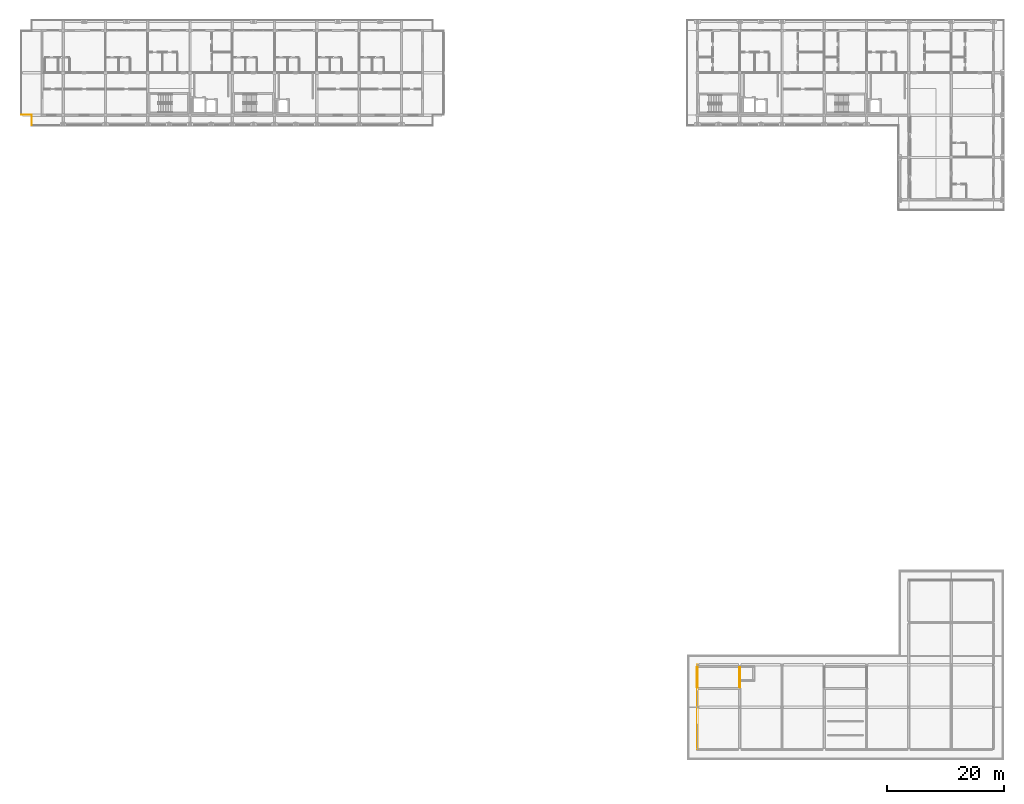
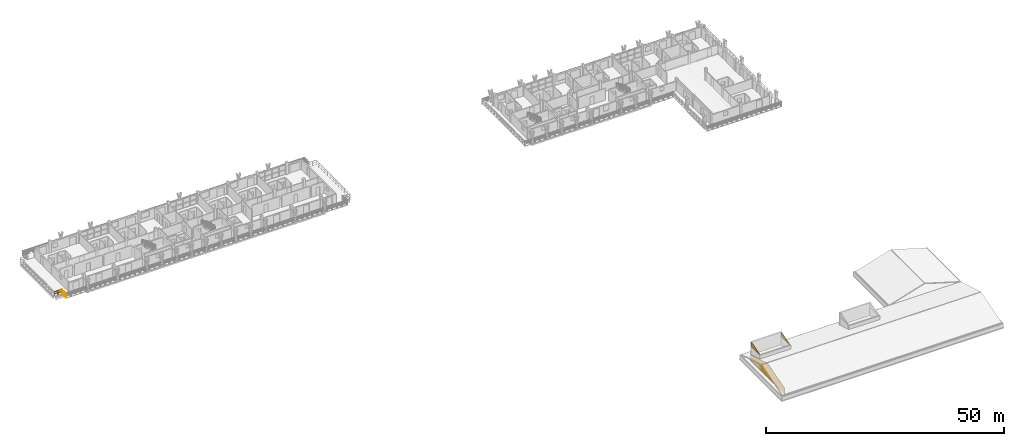
# One storey, part 37 of 45: 3 coverings, 2 railings.
"""IFC4 building model written with IfcOpenShell, lengths in metres."""

from ifc_helpers import new_model, si_unit, direction, frame, origin, origin_2d, place, context, subcontext, project, spatial, polyline, rectangle, outline, extrude, material, layer, layer_set, type_object, element, save


model = new_model("IFC4")

# Units and contexts
model_context = context("Model", 3, precision=1e-05, world=origin(), true_north=direction((0.0, 1.0)))
body_context = subcontext(model_context, "Body", "Model", "MODEL_VIEW")
ifc_project = project(units=[si_unit("LENGTHUNIT", "METRE"), si_unit("AREAUNIT", "SQUARE_METRE"), si_unit("VOLUMEUNIT", "CUBIC_METRE"), si_unit("PLANEANGLEUNIT", "RADIAN"), si_unit("MASSUNIT", "GRAM", prefix="KILO")], contexts=[model_context])

# Site, building, storey
site_placement = place(None, origin())
site = spatial("IfcSite", under=ifc_project, at=site_placement, CompositionType="ELEMENT")
building_placement = place(site_placement, origin())
building = spatial("IfcBuilding", under=site, at=building_placement, Name="Suanplinth Sawtooth Commons", CompositionType="ELEMENT")
storey_placement = place(building_placement, frame((0.0, 0.0, 38.0)))
storey = spatial("IfcBuildingStorey", under=building, at=storey_placement, Name="L11", CompositionType="ELEMENT", Elevation=38.0)

# Coverings
ifc_material_1 = material(Name="Insulated zinc-aluminium architectural wall panel", Category="aluminium")
ifc_layer = layer(ifc_material_1, 0.139892578125, Name="Insulated architectural gable tympanum cladding 140mm")
ifc_layer_set = layer_set([ifc_layer], Name="Insulated zinc-aluminium architectural wall panel")
covering_type = type_object("IfcCoveringType", Name="CV-CL02", PredefinedType="CLADDING", material=ifc_layer_set)
covering_placement = place(storey_placement, frame((136.800048828125, 0.0, 0.0), z_axis=(0.0, 0.0, 1.0), x_axis=(0.0, 1.0, 0.0)))
element("IfcCovering", 1, at=covering_placement, inside=storey, type_object=covering_type, Name="L11 Block C Crown W Gable Tympanum", PredefinedType="CLADDING", context=body_context, shape_type="SweptSolid", body=[
    extrude(outline(polyline([(0.0, 0.0), (14.39990234375, 0.0), (14.39990234375, 1.449951171875), (7.199951171875, 3.5400390625), (0.0, 1.449951171875), (0.0, 0.0)])), frame((0.0, 0.06982421875, 0.0), z_axis=(0.0, -1.0, 0.0), x_axis=(1.0, 0.0, 0.0)), (0.0, 0.0, 1.0), 0.139892578125),
])
for number, where, z_axis, x_axis, name in (
    (2, (136.77001953125, 10.5048828125, 3.820068359375), (0.0, 0.0, 1.0), (0.0, 1.0, 0.0), "Stair ST-S1 Headhouse Rake Cladding W"),
    (3, (144.030029296875, 10.5048828125, 3.820068359375), (0.0, 0.0, 1.0), (0.0, 1.0, 0.0), "Stair ST-S1 Headhouse Rake Cladding E"),
):
    element("IfcCovering", number, at=place(storey_placement, frame(where, z_axis=z_axis, x_axis=x_axis)), inside=storey, type_object=covering_type, Name=name, PredefinedType="CLADDING", context=body_context, shape_type="SweptSolid", body=[
        extrude(outline(polyline([(0.0, 0.0), (3.490234375, 0.0), (3.489990234375, 1.099853515625), (0.0, 0.0), (0.0, 0.0)])), frame((0.0, 0.06982421875, 0.0), z_axis=(0.0, -1.0, 0.0), x_axis=(1.0, 0.0, 0.0)), (0.0, 0.0, 1.0), 0.139892578125),
    ])

# Railings
ifc_material_2 = material(Name="Powder-coated galvanized steel", Category="steel")
railing_type = type_object("IfcRailingType", Name="GR-01", PredefinedType="BALUSTRADE", material=ifc_material_2)
railing_1_placement = place(storey_placement, frame((23.4599609375, 108.06005859375, 0.0)))
element("IfcRailing", 4, at=railing_1_placement, inside=storey, type_object=railing_type, Name="L11 Block A Perimeter Balustrade 1", PredefinedType="BALUSTRADE", context=body_context, shape_type="SweptSolid", body=[
    extrude(rectangle(XDim=0.048095703125, YDim=0.048095703125, at=origin_2d()), frame((0.0, 0.0, 1.09619140625), z_axis=(-1.0, 0.0, 0.0), x_axis=(0.0, -1.0, 0.0)), (0.0, 0.0, 1.0), 1.800048828125),
    extrude(rectangle(XDim=0.03369140625, YDim=0.03369140625, at=origin_2d()), frame((0.0, 0.0, 0.56005859375), z_axis=(-1.0, 0.0, 0.0), x_axis=(0.0, -1.0, 0.0)), (0.0, 0.0, 1.0), 1.800048828125),
    extrude(rectangle(XDim=0.0419921875, YDim=0.0419921875, at=origin_2d()), origin(), (0.0, 0.0, 1.0), 1.072021484375),
    extrude(rectangle(XDim=0.0419921875, YDim=0.0419921875, at=origin_2d()), frame((-0.89990234375, 0.0, 0.0)), (0.0, 0.0, 1.0), 1.072021484375),
    extrude(rectangle(XDim=0.0419921875, YDim=0.0419921875, at=origin_2d()), frame((-1.800048828125, 0.0, 0.0)), (0.0, 0.0, 1.0), 1.072021484375),
])
railing_2_placement = place(storey_placement, frame((23.4599609375, 106.260009765625, 0.0)))
element("IfcRailing", 5, at=railing_2_placement, inside=storey, type_object=railing_type, Name="L11 Block A Perimeter Balustrade 12", PredefinedType="BALUSTRADE", context=body_context, shape_type="SweptSolid", body=[
    extrude(rectangle(XDim=0.048095703125, YDim=0.048095703125, at=origin_2d()), frame((0.0, 0.0, 1.09619140625), z_axis=(0.0, 1.0, 0.0), x_axis=(-1.0, 0.0, 0.0)), (0.0, 0.0, 1.0), 1.800048828125),
    extrude(rectangle(XDim=0.03369140625, YDim=0.03369140625, at=origin_2d()), frame((0.0, 0.0, 0.56005859375), z_axis=(0.0, 1.0, 0.0), x_axis=(-1.0, 0.0, 0.0)), (0.0, 0.0, 1.0), 1.800048828125),
    extrude(rectangle(XDim=0.0419921875, YDim=0.0419921875, at=origin_2d()), origin(), (0.0, 0.0, 1.0), 1.072021484375),
    extrude(rectangle(XDim=0.0419921875, YDim=0.0419921875, at=origin_2d()), frame((0.0, 0.89990234375, 0.0)), (0.0, 0.0, 1.0), 1.072021484375),
    extrude(rectangle(XDim=0.0419921875, YDim=0.0419921875, at=origin_2d()), frame((0.0, 1.800048828125, 0.0)), (0.0, 0.0, 1.0), 1.072021484375),
])

save(model, "model.ifc")
